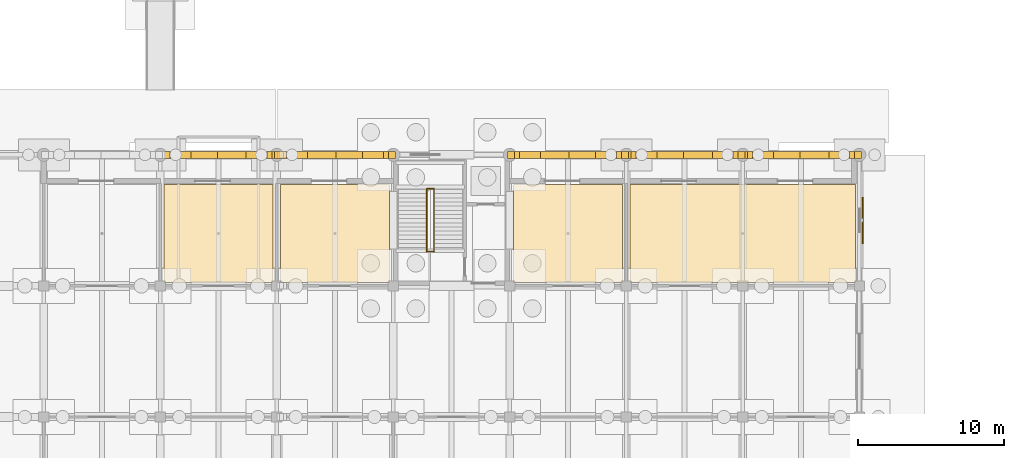
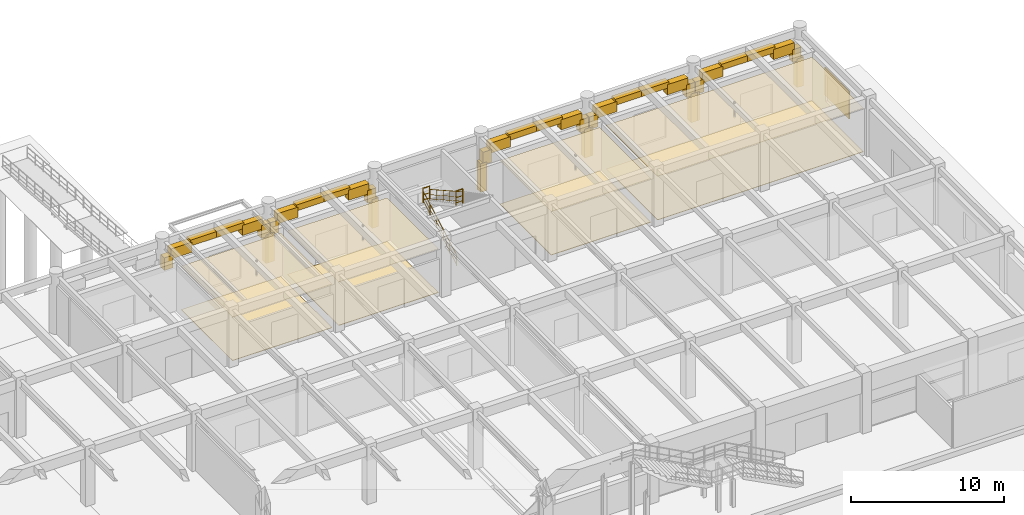
# One storey, part 145 of 147: 47 coverings, 4 railings, 1 shading device.
"""IFC4 building model written with IfcOpenShell, lengths in metres."""

from ifc_helpers import new_model, si_unit, direction, frame, origin, origin_2d, place, context, subcontext, project, spatial, polyline, rectangle, circle, outline, extrude, material, layer, layer_set, type_object, element, save


model = new_model("IFC4")

# Units and contexts
model_context = context("Model", 3, precision=1e-05, world=origin(), true_north=direction((0.0, 1.0)))
body_context = subcontext(model_context, "Body", "Model", "MODEL_VIEW")
ifc_project = project(units=[si_unit("LENGTHUNIT", "METRE"), si_unit("AREAUNIT", "SQUARE_METRE"), si_unit("VOLUMEUNIT", "CUBIC_METRE"), si_unit("PLANEANGLEUNIT", "RADIAN"), si_unit("MASSUNIT", "GRAM", prefix="KILO")], contexts=[model_context])

# Site, building, storey
site_placement = place(None, origin())
site = spatial("IfcSite", under=ifc_project, at=site_placement, CompositionType="ELEMENT")
building_placement = place(site_placement, origin())
building = spatial("IfcBuilding", under=site, at=building_placement, Name="Varnabhumi Central Station", CompositionType="ELEMENT")
storey_placement = place(building_placement, origin())
storey = spatial("IfcBuildingStorey", under=building, at=storey_placement, Name="L00", CompositionType="ELEMENT", Elevation=0.0)

# Coverings
ifc_material_1 = material(Name="Mineral-fibre acoustic tile")
ifc_layer_1 = layer(ifc_material_1, 0.02490234375, Name="Mineral-fibre acoustic tile")
ifc_layer_set_1 = layer_set([ifc_layer_1], Name="Mineral-fibre acoustic tile")
covering_type_1 = type_object("IfcCoveringType", Name="COV-CEIL-ACOUSTIC", PredefinedType="CEILING", material=ifc_layer_set_1)
covering_1_placement = place(storey_placement, frame((0.0, 0.0, 3.469970703125)))
element("IfcCovering", 1, at=covering_1_placement, inside=storey, type_object=covering_type_1, Name="Travel Retail Shop 03 Acoustic Ceiling", PredefinedType="CEILING", context=body_context, shape_type="SweptSolid", body=[
    extrude(outline(polyline([(112.25, 107.25), (119.75, 107.25), (119.75, 113.949951171875), (112.25, 113.949951171875), (112.25, 107.25)])), origin(), (0.0, 0.0, 1.0), 0.025146484375),
])
covering_2_placement = place(storey_placement, frame((0.0, 0.0, 3.469970703125)))
element("IfcCovering", 2, at=covering_2_placement, inside=storey, type_object=covering_type_1, Name="Station Pharmacy Acoustic Ceiling", PredefinedType="CEILING", context=body_context, shape_type="SweptSolid", body=[
    extrude(outline(polyline([(120.25, 107.25), (127.75, 107.25), (127.75, 113.949951171875), (120.25, 113.949951171875), (120.25, 107.25)])), origin(), (0.0, 0.0, 1.0), 0.025146484375),
])
covering_3_placement = place(storey_placement, frame((0.0, 0.0, 3.469970703125)))
element("IfcCovering", 3, at=covering_3_placement, inside=storey, type_object=covering_type_1, Name="Railway Book Stall and Newsagent Acoustic Ceiling", PredefinedType="CEILING", context=body_context, shape_type="SweptSolid", body=[
    extrude(outline(polyline([(136.25, 107.25), (143.75, 107.25), (143.75, 113.949951171875), (136.25, 113.949951171875), (136.25, 107.25)])), origin(), (0.0, 0.0, 1.0), 0.025146484375),
])
covering_4_placement = place(storey_placement, frame((0.0, 0.0, 3.469970703125)))
element("IfcCovering", 4, at=covering_4_placement, inside=storey, type_object=covering_type_1, Name="Handicrafts and Souvenir Shop Acoustic Ceiling", PredefinedType="CEILING", context=body_context, shape_type="SweptSolid", body=[
    extrude(outline(polyline([(144.25, 107.25), (159.75, 107.25), (159.75, 113.949951171875), (144.25, 113.949951171875), (144.25, 107.25)])), origin(), (0.0, 0.0, 1.0), 0.025146484375),
])
ifc_material_2 = material(Name="Vitrified granite stone flooring", Category="masonry")
ifc_layer_2 = layer(ifc_material_2, 0.030029296875, Name="Vitrified granite stone flooring", Category="masonry")
ifc_layer_set_2 = layer_set([ifc_layer_2], Name="Vitrified granite stone flooring")
covering_type_2 = type_object("IfcCoveringType", Name="COV-FLOR-GRANITE", PredefinedType="FLOORING", material=ifc_layer_set_2)
covering_5_placement = place(storey_placement, origin())
element("IfcCovering", 5, at=covering_5_placement, inside=storey, type_object=covering_type_2, Name="Travel Retail Shop 03 Granite Flooring", PredefinedType="FLOORING", context=body_context, shape_type="SweptSolid", body=[
    extrude(outline(polyline([(112.25, 107.25), (119.75, 107.25), (119.75, 113.949951171875), (112.25, 113.949951171875), (112.25, 107.25)])), origin(), (0.0, 0.0, 1.0), 0.030029296875),
])
covering_6_placement = place(storey_placement, origin())
element("IfcCovering", 6, at=covering_6_placement, inside=storey, type_object=covering_type_2, Name="Station Pharmacy Granite Flooring", PredefinedType="FLOORING", context=body_context, shape_type="SweptSolid", body=[
    extrude(outline(polyline([(120.25, 107.25), (127.75, 107.25), (127.75, 113.949951171875), (120.25, 113.949951171875), (120.25, 107.25)])), origin(), (0.0, 0.0, 1.0), 0.030029296875),
])
covering_7_placement = place(storey_placement, origin())
element("IfcCovering", 7, at=covering_7_placement, inside=storey, type_object=covering_type_2, Name="Railway Book Stall and Newsagent Granite Flooring", PredefinedType="FLOORING", context=body_context, shape_type="SweptSolid", body=[
    extrude(outline(polyline([(136.25, 107.25), (143.75, 107.25), (143.75, 113.949951171875), (136.25, 113.949951171875), (136.25, 107.25)])), origin(), (0.0, 0.0, 1.0), 0.030029296875),
])
covering_8_placement = place(storey_placement, origin())
element("IfcCovering", 8, at=covering_8_placement, inside=storey, type_object=covering_type_2, Name="Handicrafts and Souvenir Shop Granite Flooring", PredefinedType="FLOORING", context=body_context, shape_type="SweptSolid", body=[
    extrude(outline(polyline([(144.25, 107.25), (159.75, 107.25), (159.75, 113.949951171875), (144.25, 113.949951171875), (144.25, 107.25)])), origin(), (0.0, 0.0, 1.0), 0.030029296875),
])
ifc_material_3 = material(Name="Terracotta clay Mission barrel tile", Category="masonry")
ifc_layer_3 = layer(ifc_material_3, 0.02001953125, Name="Terracotta clay Mission barrel tile", Category="masonry")
ifc_layer_set_3 = layer_set([ifc_layer_3], Name="Terracotta clay Mission barrel tile")
covering_type_3 = type_object("IfcCoveringType", Name="COV-WALL-FAIENCE", PredefinedType="CLADDING", material=ifc_layer_set_3)
covering_9_placement = place(storey_placement, frame((112.342529296875, 116.0, 2.110107421875), z_axis=(0.0, 0.0, 1.0), x_axis=(1.0, 0.0, 0.0)))
element("IfcCovering", 9, at=covering_9_placement, inside=storey, type_object=covering_type_3, Name="North Boulevard Portales Arch 15 Stone Voussoir 1", PredefinedType="CLADDING", context=body_context, shape_type="SweptSolid", body=[
    extrude(rectangle(XDim=0.64501953125, YDim=0.47998046875, at=origin_2d()), origin(), (0.0, 0.0, 1.0), 1.0048828125),
])
covering_10_placement = place(storey_placement, frame((113.322509765625, 116.0, 2.8349609375), z_axis=(0.0, 0.0, 1.0), x_axis=(1.0, 0.0, 0.0)))
element("IfcCovering", 10, at=covering_10_placement, inside=storey, type_object=covering_type_3, Name="North Boulevard Portales Arch 15 Stone Voussoir 2", PredefinedType="CLADDING", context=body_context, shape_type="SweptSolid", body=[
    extrude(rectangle(XDim=1.554931640625, YDim=0.47998046875, at=origin_2d()), origin(), (0.0, 0.0, 1.0), 0.81103515625),
])
for number, where, z_axis, x_axis, name in (
    (11, (115.02001953125, 116.0, 3.365966796875), (0.0, 0.0, 1.0), (1.0, 0.0, 0.0), "North Boulevard Portales Arch 15 Stone Voussoir 3"),
    (12, (116.97998046875, 116.0, 3.365966796875), (0.0, 0.0, 1.0), (1.0, 0.0, 0.0), "North Boulevard Portales Arch 15 Stone Voussoir 4"),
):
    element("IfcCovering", number, at=place(storey_placement, frame(where, z_axis=z_axis, x_axis=x_axis)), inside=storey, type_object=covering_type_3, Name=name, PredefinedType="CLADDING", context=body_context, shape_type="SweptSolid", body=[
        extrude(rectangle(XDim=2.080078125, YDim=0.47998046875, at=origin_2d()), origin(), (0.0, 0.0, 1.0), 0.47412109375),
    ])
covering_11_placement = place(storey_placement, frame((118.677490234375, 116.0, 2.8349609375), z_axis=(0.0, 0.0, 1.0), x_axis=(1.0, 0.0, 0.0)))
element("IfcCovering", 13, at=covering_11_placement, inside=storey, type_object=covering_type_3, Name="North Boulevard Portales Arch 15 Stone Voussoir 5", PredefinedType="CLADDING", context=body_context, shape_type="SweptSolid", body=[
    extrude(rectangle(XDim=1.554931640625, YDim=0.47998046875, at=origin_2d()), origin(), (0.0, 0.0, 1.0), 0.81103515625),
])
covering_12_placement = place(storey_placement, frame((119.657470703125, 116.0, 2.110107421875), z_axis=(0.0, 0.0, 1.0), x_axis=(1.0, 0.0, 0.0)))
element("IfcCovering", 14, at=covering_12_placement, inside=storey, type_object=covering_type_3, Name="North Boulevard Portales Arch 15 Stone Voussoir 6", PredefinedType="CLADDING", context=body_context, shape_type="SweptSolid", body=[
    extrude(rectangle(XDim=0.64501953125, YDim=0.47998046875, at=origin_2d()), origin(), (0.0, 0.0, 1.0), 1.0048828125),
])
covering_13_placement = place(storey_placement, frame((119.919921875, 116.0, -0.02001953125), z_axis=(0.0, 0.0, 1.0), x_axis=(1.0, 0.0, 0.0)))
element("IfcCovering", 15, at=covering_13_placement, inside=storey, type_object=covering_type_3, Name="North Boulevard Portales Arch 15 Classical Pilaster 2", PredefinedType="CLADDING", context=body_context, shape_type="SweptSolid", body=[
    extrude(rectangle(XDim=0.47998046875, YDim=0.47998046875, at=origin_2d()), origin(), (0.0, 0.0, 1.0), 2.2900390625),
])
covering_14_placement = place(storey_placement, frame((120.342529296875, 116.0, 2.110107421875), z_axis=(0.0, 0.0, 1.0), x_axis=(1.0, 0.0, 0.0)))
element("IfcCovering", 16, at=covering_14_placement, inside=storey, type_object=covering_type_3, Name="North Boulevard Portales Arch 16 Stone Voussoir 1", PredefinedType="CLADDING", context=body_context, shape_type="SweptSolid", body=[
    extrude(rectangle(XDim=0.64501953125, YDim=0.47998046875, at=origin_2d()), origin(), (0.0, 0.0, 1.0), 1.0048828125),
])
covering_15_placement = place(storey_placement, frame((121.322509765625, 116.0, 2.8349609375), z_axis=(0.0, 0.0, 1.0), x_axis=(1.0, 0.0, 0.0)))
element("IfcCovering", 17, at=covering_15_placement, inside=storey, type_object=covering_type_3, Name="North Boulevard Portales Arch 16 Stone Voussoir 2", PredefinedType="CLADDING", context=body_context, shape_type="SweptSolid", body=[
    extrude(rectangle(XDim=1.554931640625, YDim=0.47998046875, at=origin_2d()), origin(), (0.0, 0.0, 1.0), 0.81103515625),
])
for number, where, z_axis, x_axis, name in (
    (18, (123.02001953125, 116.0, 3.365966796875), (0.0, 0.0, 1.0), (1.0, 0.0, 0.0), "North Boulevard Portales Arch 16 Stone Voussoir 3"),
    (19, (124.97998046875, 116.0, 3.365966796875), (0.0, 0.0, 1.0), (1.0, 0.0, 0.0), "North Boulevard Portales Arch 16 Stone Voussoir 4"),
):
    element("IfcCovering", number, at=place(storey_placement, frame(where, z_axis=z_axis, x_axis=x_axis)), inside=storey, type_object=covering_type_3, Name=name, PredefinedType="CLADDING", context=body_context, shape_type="SweptSolid", body=[
        extrude(rectangle(XDim=2.080078125, YDim=0.47998046875, at=origin_2d()), origin(), (0.0, 0.0, 1.0), 0.47412109375),
    ])
covering_16_placement = place(storey_placement, frame((126.677490234375, 116.0, 2.8349609375), z_axis=(0.0, 0.0, 1.0), x_axis=(1.0, 0.0, 0.0)))
element("IfcCovering", 20, at=covering_16_placement, inside=storey, type_object=covering_type_3, Name="North Boulevard Portales Arch 16 Stone Voussoir 5", PredefinedType="CLADDING", context=body_context, shape_type="SweptSolid", body=[
    extrude(rectangle(XDim=1.554931640625, YDim=0.47998046875, at=origin_2d()), origin(), (0.0, 0.0, 1.0), 0.81103515625),
])
covering_17_placement = place(storey_placement, frame((127.657470703125, 116.0, 2.110107421875), z_axis=(0.0, 0.0, 1.0), x_axis=(1.0, 0.0, 0.0)))
element("IfcCovering", 21, at=covering_17_placement, inside=storey, type_object=covering_type_3, Name="North Boulevard Portales Arch 16 Stone Voussoir 6", PredefinedType="CLADDING", context=body_context, shape_type="SweptSolid", body=[
    extrude(rectangle(XDim=0.64501953125, YDim=0.47998046875, at=origin_2d()), origin(), (0.0, 0.0, 1.0), 1.0048828125),
])
for number, where, z_axis, x_axis, name in (
    (22, (120.080078125, 116.0, -0.02001953125), (0.0, 0.0, 1.0), (1.0, 0.0, 0.0), "North Boulevard Portales Arch 16 Classical Pilaster 1"),
    (23, (127.919921875, 116.0, -0.02001953125), (0.0, 0.0, 1.0), (1.0, 0.0, 0.0), "North Boulevard Portales Arch 16 Classical Pilaster 2"),
):
    element("IfcCovering", number, at=place(storey_placement, frame(where, z_axis=z_axis, x_axis=x_axis)), inside=storey, type_object=covering_type_3, Name=name, PredefinedType="CLADDING", context=body_context, shape_type="SweptSolid", body=[
        extrude(rectangle(XDim=0.47998046875, YDim=0.47998046875, at=origin_2d()), origin(), (0.0, 0.0, 1.0), 2.2900390625),
    ])
covering_18_placement = place(storey_placement, frame((136.342529296875, 116.0, 2.110107421875), z_axis=(0.0, 0.0, 1.0), x_axis=(1.0, 0.0, 0.0)))
element("IfcCovering", 24, at=covering_18_placement, inside=storey, type_object=covering_type_3, Name="North Boulevard Portales Arch 18 Stone Voussoir 1", PredefinedType="CLADDING", context=body_context, shape_type="SweptSolid", body=[
    extrude(rectangle(XDim=0.64501953125, YDim=0.47998046875, at=origin_2d()), origin(), (0.0, 0.0, 1.0), 1.0048828125),
])
covering_19_placement = place(storey_placement, frame((137.322509765625, 116.0, 2.8349609375), z_axis=(0.0, 0.0, 1.0), x_axis=(1.0, 0.0, 0.0)))
element("IfcCovering", 25, at=covering_19_placement, inside=storey, type_object=covering_type_3, Name="North Boulevard Portales Arch 18 Stone Voussoir 2", PredefinedType="CLADDING", context=body_context, shape_type="SweptSolid", body=[
    extrude(rectangle(XDim=1.554931640625, YDim=0.47998046875, at=origin_2d()), origin(), (0.0, 0.0, 1.0), 0.81103515625),
])
for number, where, z_axis, x_axis, name in (
    (26, (139.02001953125, 116.0, 3.365966796875), (0.0, 0.0, 1.0), (1.0, 0.0, 0.0), "North Boulevard Portales Arch 18 Stone Voussoir 3"),
    (27, (140.97998046875, 116.0, 3.365966796875), (0.0, 0.0, 1.0), (1.0, 0.0, 0.0), "North Boulevard Portales Arch 18 Stone Voussoir 4"),
):
    element("IfcCovering", number, at=place(storey_placement, frame(where, z_axis=z_axis, x_axis=x_axis)), inside=storey, type_object=covering_type_3, Name=name, PredefinedType="CLADDING", context=body_context, shape_type="SweptSolid", body=[
        extrude(rectangle(XDim=2.080078125, YDim=0.47998046875, at=origin_2d()), origin(), (0.0, 0.0, 1.0), 0.47412109375),
    ])
covering_20_placement = place(storey_placement, frame((142.677490234375, 116.0, 2.8349609375), z_axis=(0.0, 0.0, 1.0), x_axis=(1.0, 0.0, 0.0)))
element("IfcCovering", 28, at=covering_20_placement, inside=storey, type_object=covering_type_3, Name="North Boulevard Portales Arch 18 Stone Voussoir 5", PredefinedType="CLADDING", context=body_context, shape_type="SweptSolid", body=[
    extrude(rectangle(XDim=1.554931640625, YDim=0.47998046875, at=origin_2d()), origin(), (0.0, 0.0, 1.0), 0.81103515625),
])
covering_21_placement = place(storey_placement, frame((143.657470703125, 116.0, 2.110107421875), z_axis=(0.0, 0.0, 1.0), x_axis=(1.0, 0.0, 0.0)))
element("IfcCovering", 29, at=covering_21_placement, inside=storey, type_object=covering_type_3, Name="North Boulevard Portales Arch 18 Stone Voussoir 6", PredefinedType="CLADDING", context=body_context, shape_type="SweptSolid", body=[
    extrude(rectangle(XDim=0.64501953125, YDim=0.47998046875, at=origin_2d()), origin(), (0.0, 0.0, 1.0), 1.0048828125),
])
for number, where, z_axis, x_axis, name in (
    (30, (136.080078125, 116.0, -0.02001953125), (0.0, 0.0, 1.0), (1.0, 0.0, 0.0), "North Boulevard Portales Arch 18 Classical Pilaster 1"),
    (31, (143.919921875, 116.0, -0.02001953125), (0.0, 0.0, 1.0), (1.0, 0.0, 0.0), "North Boulevard Portales Arch 18 Classical Pilaster 2"),
):
    element("IfcCovering", number, at=place(storey_placement, frame(where, z_axis=z_axis, x_axis=x_axis)), inside=storey, type_object=covering_type_3, Name=name, PredefinedType="CLADDING", context=body_context, shape_type="SweptSolid", body=[
        extrude(rectangle(XDim=0.47998046875, YDim=0.47998046875, at=origin_2d()), origin(), (0.0, 0.0, 1.0), 2.2900390625),
    ])
covering_22_placement = place(storey_placement, frame((144.342529296875, 116.0, 2.110107421875), z_axis=(0.0, 0.0, 1.0), x_axis=(1.0, 0.0, 0.0)))
element("IfcCovering", 32, at=covering_22_placement, inside=storey, type_object=covering_type_3, Name="North Boulevard Portales Arch 19 Stone Voussoir 1", PredefinedType="CLADDING", context=body_context, shape_type="SweptSolid", body=[
    extrude(rectangle(XDim=0.64501953125, YDim=0.47998046875, at=origin_2d()), origin(), (0.0, 0.0, 1.0), 1.0048828125),
])
covering_23_placement = place(storey_placement, frame((145.322509765625, 116.0, 2.8349609375), z_axis=(0.0, 0.0, 1.0), x_axis=(1.0, 0.0, 0.0)))
element("IfcCovering", 33, at=covering_23_placement, inside=storey, type_object=covering_type_3, Name="North Boulevard Portales Arch 19 Stone Voussoir 2", PredefinedType="CLADDING", context=body_context, shape_type="SweptSolid", body=[
    extrude(rectangle(XDim=1.554931640625, YDim=0.47998046875, at=origin_2d()), origin(), (0.0, 0.0, 1.0), 0.81103515625),
])
for number, where, z_axis, x_axis, name in (
    (34, (147.02001953125, 116.0, 3.365966796875), (0.0, 0.0, 1.0), (1.0, 0.0, 0.0), "North Boulevard Portales Arch 19 Stone Voussoir 3"),
    (35, (148.97998046875, 116.0, 3.365966796875), (0.0, 0.0, 1.0), (1.0, 0.0, 0.0), "North Boulevard Portales Arch 19 Stone Voussoir 4"),
):
    element("IfcCovering", number, at=place(storey_placement, frame(where, z_axis=z_axis, x_axis=x_axis)), inside=storey, type_object=covering_type_3, Name=name, PredefinedType="CLADDING", context=body_context, shape_type="SweptSolid", body=[
        extrude(rectangle(XDim=2.080078125, YDim=0.47998046875, at=origin_2d()), origin(), (0.0, 0.0, 1.0), 0.47412109375),
    ])
covering_24_placement = place(storey_placement, frame((150.677490234375, 116.0, 2.8349609375), z_axis=(0.0, 0.0, 1.0), x_axis=(1.0, 0.0, 0.0)))
element("IfcCovering", 36, at=covering_24_placement, inside=storey, type_object=covering_type_3, Name="North Boulevard Portales Arch 19 Stone Voussoir 5", PredefinedType="CLADDING", context=body_context, shape_type="SweptSolid", body=[
    extrude(rectangle(XDim=1.554931640625, YDim=0.47998046875, at=origin_2d()), origin(), (0.0, 0.0, 1.0), 0.81103515625),
])
covering_25_placement = place(storey_placement, frame((151.657470703125, 116.0, 2.110107421875), z_axis=(0.0, 0.0, 1.0), x_axis=(1.0, 0.0, 0.0)))
element("IfcCovering", 37, at=covering_25_placement, inside=storey, type_object=covering_type_3, Name="North Boulevard Portales Arch 19 Stone Voussoir 6", PredefinedType="CLADDING", context=body_context, shape_type="SweptSolid", body=[
    extrude(rectangle(XDim=0.64501953125, YDim=0.47998046875, at=origin_2d()), origin(), (0.0, 0.0, 1.0), 1.0048828125),
])
for number, where, z_axis, x_axis, name in (
    (38, (144.080078125, 116.0, -0.02001953125), (0.0, 0.0, 1.0), (1.0, 0.0, 0.0), "North Boulevard Portales Arch 19 Classical Pilaster 1"),
    (39, (151.919921875, 116.0, -0.02001953125), (0.0, 0.0, 1.0), (1.0, 0.0, 0.0), "North Boulevard Portales Arch 19 Classical Pilaster 2"),
):
    element("IfcCovering", number, at=place(storey_placement, frame(where, z_axis=z_axis, x_axis=x_axis)), inside=storey, type_object=covering_type_3, Name=name, PredefinedType="CLADDING", context=body_context, shape_type="SweptSolid", body=[
        extrude(rectangle(XDim=0.47998046875, YDim=0.47998046875, at=origin_2d()), origin(), (0.0, 0.0, 1.0), 2.2900390625),
    ])
covering_26_placement = place(storey_placement, frame((152.342529296875, 116.0, 2.110107421875), z_axis=(0.0, 0.0, 1.0), x_axis=(1.0, 0.0, 0.0)))
element("IfcCovering", 40, at=covering_26_placement, inside=storey, type_object=covering_type_3, Name="North Boulevard Portales Arch 20 Stone Voussoir 1", PredefinedType="CLADDING", context=body_context, shape_type="SweptSolid", body=[
    extrude(rectangle(XDim=0.64501953125, YDim=0.47998046875, at=origin_2d()), origin(), (0.0, 0.0, 1.0), 1.0048828125),
])
covering_27_placement = place(storey_placement, frame((153.322509765625, 116.0, 2.8349609375), z_axis=(0.0, 0.0, 1.0), x_axis=(1.0, 0.0, 0.0)))
element("IfcCovering", 41, at=covering_27_placement, inside=storey, type_object=covering_type_3, Name="North Boulevard Portales Arch 20 Stone Voussoir 2", PredefinedType="CLADDING", context=body_context, shape_type="SweptSolid", body=[
    extrude(rectangle(XDim=1.554931640625, YDim=0.47998046875, at=origin_2d()), origin(), (0.0, 0.0, 1.0), 0.81103515625),
])
for number, where, z_axis, x_axis, name in (
    (42, (155.02001953125, 116.0, 3.365966796875), (0.0, 0.0, 1.0), (1.0, 0.0, 0.0), "North Boulevard Portales Arch 20 Stone Voussoir 3"),
    (43, (156.97998046875, 116.0, 3.365966796875), (0.0, 0.0, 1.0), (1.0, 0.0, 0.0), "North Boulevard Portales Arch 20 Stone Voussoir 4"),
):
    element("IfcCovering", number, at=place(storey_placement, frame(where, z_axis=z_axis, x_axis=x_axis)), inside=storey, type_object=covering_type_3, Name=name, PredefinedType="CLADDING", context=body_context, shape_type="SweptSolid", body=[
        extrude(rectangle(XDim=2.080078125, YDim=0.47998046875, at=origin_2d()), origin(), (0.0, 0.0, 1.0), 0.47412109375),
    ])
covering_28_placement = place(storey_placement, frame((158.677490234375, 116.0, 2.8349609375), z_axis=(0.0, 0.0, 1.0), x_axis=(1.0, 0.0, 0.0)))
element("IfcCovering", 44, at=covering_28_placement, inside=storey, type_object=covering_type_3, Name="North Boulevard Portales Arch 20 Stone Voussoir 5", PredefinedType="CLADDING", context=body_context, shape_type="SweptSolid", body=[
    extrude(rectangle(XDim=1.554931640625, YDim=0.47998046875, at=origin_2d()), origin(), (0.0, 0.0, 1.0), 0.81103515625),
])
covering_29_placement = place(storey_placement, frame((159.657470703125, 116.0, 2.110107421875), z_axis=(0.0, 0.0, 1.0), x_axis=(1.0, 0.0, 0.0)))
element("IfcCovering", 45, at=covering_29_placement, inside=storey, type_object=covering_type_3, Name="North Boulevard Portales Arch 20 Stone Voussoir 6", PredefinedType="CLADDING", context=body_context, shape_type="SweptSolid", body=[
    extrude(rectangle(XDim=0.64501953125, YDim=0.47998046875, at=origin_2d()), origin(), (0.0, 0.0, 1.0), 1.0048828125),
])
for number, where, z_axis, x_axis, name in (
    (46, (152.080078125, 116.0, -0.02001953125), (0.0, 0.0, 1.0), (1.0, 0.0, 0.0), "North Boulevard Portales Arch 20 Classical Pilaster 1"),
    (47, (159.919921875, 116.0, -0.02001953125), (0.0, 0.0, 1.0), (1.0, 0.0, 0.0), "North Boulevard Portales Arch 20 Classical Pilaster 2"),
):
    element("IfcCovering", number, at=place(storey_placement, frame(where, z_axis=z_axis, x_axis=x_axis)), inside=storey, type_object=covering_type_3, Name=name, PredefinedType="CLADDING", context=body_context, shape_type="SweptSolid", body=[
        extrude(rectangle(XDim=0.47998046875, YDim=0.47998046875, at=origin_2d()), origin(), (0.0, 0.0, 1.0), 2.2900390625),
    ])

# Railings
ifc_material_4 = material(Name="Stainless steel Grade 316", Category="steel")
railing_type_1 = type_object("IfcRailingType", Name="RAIL-STAIR-GRD-1150", PredefinedType="GUARDRAIL", material=ifc_material_4)
for number, where, name in (
    (48, (130.300048828125, 113.675048828125, 2.39990234375), "ST-N3 L00 Half-Landing Well Guard"),
    (49, (130.300048828125, 109.360107421875, 4.800048828125), "ST-N3 L00 Arrival Slot Guard"),
):
    element("IfcRailing", number, at=place(storey_placement, frame(where)), inside=storey, type_object=railing_type_1, Name=name, PredefinedType="GUARDRAIL", context=body_context, shape_type="SweptSolid", body=[
        extrude(circle(Radius=0.02392578125, at=origin_2d()), frame((0.0, 0.0, 1.1259765625), z_axis=(1.0, 0.0, 0.0), x_axis=(0.0, 1.0, 0.0)), (0.0, 0.0, 1.0), 0.5),
        extrude(circle(Radius=0.01416015625, at=origin_2d()), frame((0.0, 0.0, 0.597900390625), z_axis=(1.0, 0.0, 0.0), x_axis=(0.0, 1.0, 0.0)), (0.0, 0.0, 1.0), 0.5),
        extrude(circle(Radius=0.01416015625, at=origin_2d()), frame((0.0, 0.0, 0.18408203125), z_axis=(1.0, 0.0, 0.0), x_axis=(0.0, 1.0, 0.0)), (0.0, 0.0, 1.0), 0.5),
        extrude(circle(Radius=0.02099609375, at=origin_2d()), origin(), (0.0, 0.0, 1.0), 1.101806640625),
        extrude(circle(Radius=0.02099609375, at=origin_2d()), frame((0.5, 0.0, 0.0)), (0.0, 0.0, 1.0), 1.101806640625),
    ])
railing_type_2 = type_object("IfcRailingType", Name="RAIL-STAIR-HR-920", PredefinedType="HANDRAIL", material=ifc_material_4)
railing_1_placement = place(storey_placement, frame((130.300048828125, 109.340087890625, 0.0)))
element("IfcRailing", 50, at=railing_1_placement, inside=storey, type_object=railing_type_2, Name="ST-N3 L00 Flight 1 Handrail", PredefinedType="HANDRAIL", context=body_context, shape_type="SweptSolid", body=[
    extrude(circle(Radius=0.02392578125, at=origin_2d()), frame((0.0, 0.0, 0.89599609375), z_axis=(0.0, 0.871987514779, 0.489528113665), x_axis=(-1.0, 0.0, 0.0)), (0.0, 0.0, 1.0), 4.902587890625),
    extrude(circle(Radius=0.01416015625, at=origin_2d()), frame((0.0, 0.0, 0.478271484375), z_axis=(0.0, 0.871987514779, 0.489528113665), x_axis=(-1.0, 0.0, 0.0)), (0.0, 0.0, 1.0), 4.902587890625),
    extrude(circle(Radius=0.01416015625, at=origin_2d()), frame((0.0, 0.0, 0.147216796875), z_axis=(0.0, 0.871987514779, 0.489528113665), x_axis=(-1.0, 0.0, 0.0)), (0.0, 0.0, 1.0), 4.902587890625),
    extrude(circle(Radius=0.02099609375, at=origin_2d()), origin(), (0.0, 0.0, 1.0), 0.871826171875),
    extrude(circle(Radius=0.02099609375, at=origin_2d()), frame((0.0, 0.85498046875, 0.47998046875)), (0.0, 0.0, 1.0), 0.871826171875),
    extrude(circle(Radius=0.02099609375, at=origin_2d()), frame((0.0, 1.7099609375, 0.9599609375)), (0.0, 0.0, 1.0), 0.871826171875),
    extrude(circle(Radius=0.02099609375, at=origin_2d()), frame((0.0, 2.56494140625, 1.43994140625)), (0.0, 0.0, 1.0), 0.871826171875),
    extrude(circle(Radius=0.02099609375, at=origin_2d()), frame((0.0, 3.419921875, 1.919921875)), (0.0, 0.0, 1.0), 0.871826171875),
    extrude(circle(Radius=0.02099609375, at=origin_2d()), frame((0.0, 4.27490234375, 2.39990234375)), (0.0, 0.0, 1.0), 0.871826171875),
])
railing_2_placement = place(storey_placement, frame((130.800048828125, 113.614990234375, 2.39990234375)))
element("IfcRailing", 51, at=railing_2_placement, inside=storey, type_object=railing_type_2, Name="ST-N3 L00 Flight 2 Handrail", PredefinedType="HANDRAIL", context=body_context, shape_type="SweptSolid", body=[
    extrude(circle(Radius=0.02392578125, at=origin_2d()), frame((0.0, 0.0, 0.89599609375), z_axis=(0.0, -0.871966256983, 0.489565977864), x_axis=(1.0, 0.0, 0.0)), (0.0, 0.0, 1.0), 4.902587890625),
    extrude(circle(Radius=0.01416015625, at=origin_2d()), frame((0.0, 0.0, 0.478271484375), z_axis=(0.0, -0.871966256983, 0.489565977864), x_axis=(1.0, 0.0, 0.0)), (0.0, 0.0, 1.0), 4.902587890625),
    extrude(circle(Radius=0.01416015625, at=origin_2d()), frame((0.0, 0.0, 0.147216796875), z_axis=(0.0, -0.871966256983, 0.489565977864), x_axis=(1.0, 0.0, 0.0)), (0.0, 0.0, 1.0), 4.902587890625),
    extrude(circle(Radius=0.02099609375, at=origin_2d()), origin(), (0.0, 0.0, 1.0), 0.871826171875),
    extrude(circle(Radius=0.02099609375, at=origin_2d()), frame((0.0, -0.85498046875, 0.47998046875)), (0.0, 0.0, 1.0), 0.871826171875),
    extrude(circle(Radius=0.02099609375, at=origin_2d()), frame((0.0, -1.7099609375, 0.9599609375)), (0.0, 0.0, 1.0), 0.871826171875),
    extrude(circle(Radius=0.02099609375, at=origin_2d()), frame((0.0, -2.56494140625, 1.440185546875)), (0.0, 0.0, 1.0), 0.871826171875),
    extrude(circle(Radius=0.02099609375, at=origin_2d()), frame((0.0, -3.419921875, 1.920166015625)), (0.0, 0.0, 1.0), 0.871826171875),
    extrude(circle(Radius=0.02099609375, at=origin_2d()), frame((0.0, -4.27490234375, 2.400146484375)), (0.0, 0.0, 1.0), 0.871826171875),
])

# Shading device
ifc_layer_4 = layer(ifc_material_3, 0.080078125, Name="Terracotta clay Mission barrel tile", Category="masonry")
ifc_layer_set_4 = layer_set([ifc_layer_4], Name="Terracotta clay Mission barrel tile")
shading_device_type = type_object("IfcShadingDeviceType", Name="SHD-CELOSIA-JALI", PredefinedType="JALOUSIE", material=ifc_layer_set_4)
shading_device_placement = place(storey_placement, frame((160.239990234375, 111.5, 0.85009765625), z_axis=(0.0, 0.0, 1.0), x_axis=(1.0, 0.0, 0.0)))
element("IfcShadingDevice", 52, at=shading_device_placement, inside=storey, type_object=shading_device_type, Name="Terracotta Celosia Screen N-L00-W4", PredefinedType="JALOUSIE", context=body_context, shape_type="SweptSolid", body=[
    extrude(rectangle(XDim=0.080078125, YDim=3.199951171875, at=origin_2d()), origin(), (0.0, 0.0, 1.0), 2.199951171875),
])

save(model, "model.ifc")
